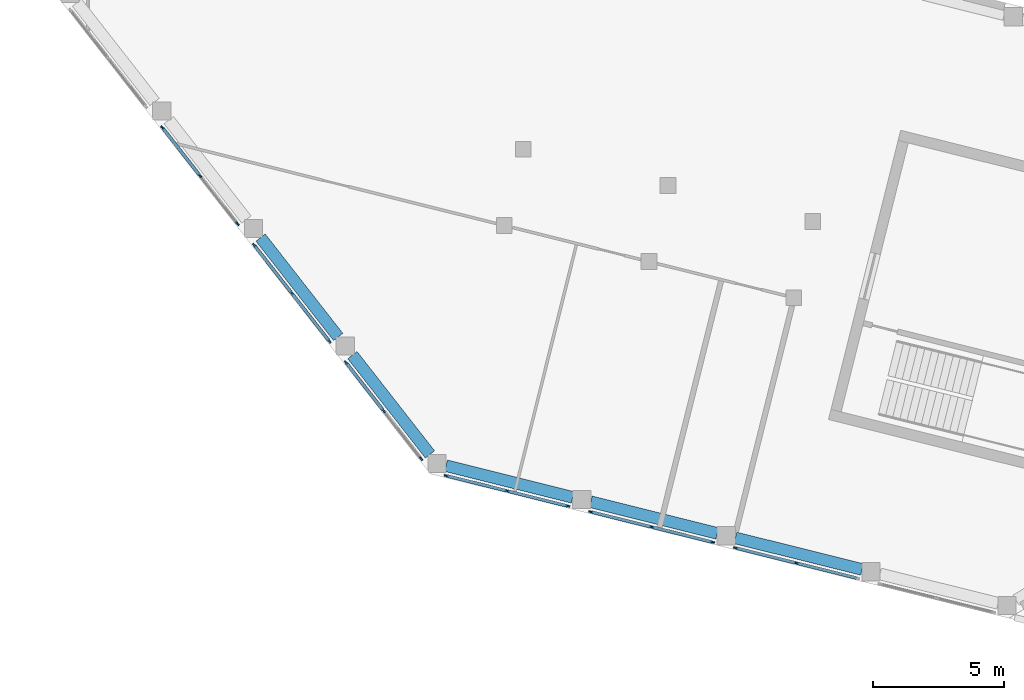
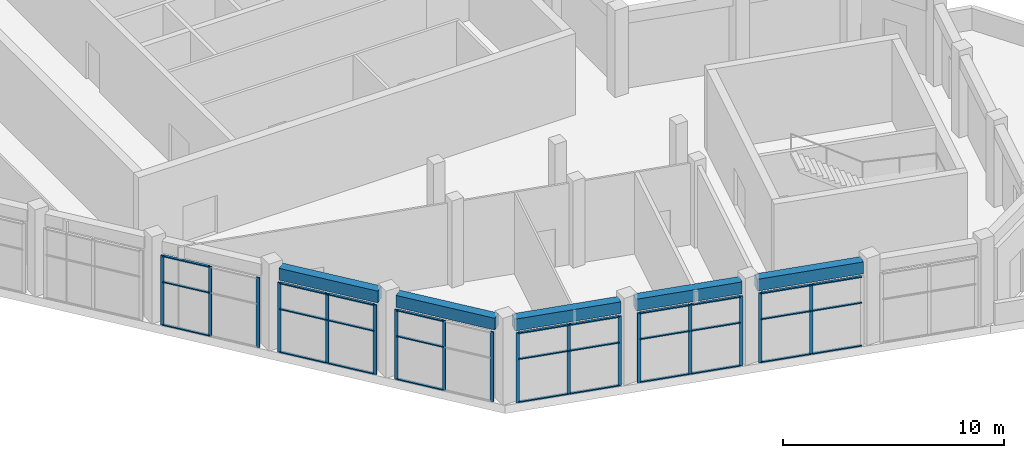
# One storey, part 2 of 10: 47 members, 5 beams, 6 elements without a shape of their own.
"""IFC4 building model written with IfcOpenShell, lengths in metres."""

from ifc_helpers import new_model, si_unit, direction, frame, origin, origin_2d, place, context, subcontext, project, spatial, rectangle, extrude, material, material_profile, profile_set, type_object, element, aggregate, save


model = new_model("IFC4")

# Units and contexts
model_context = context("Model", 3, precision=1e-05, world=origin(), true_north=direction((0.0, 1.0)))
body_context = subcontext(model_context, "Body", "Model", "MODEL_VIEW")
ifc_project = project(units=[si_unit("LENGTHUNIT", "METRE"), si_unit("AREAUNIT", "SQUARE_METRE"), si_unit("VOLUMEUNIT", "CUBIC_METRE"), si_unit("PLANEANGLEUNIT", "RADIAN"), si_unit("MASSUNIT", "GRAM", prefix="KILO")], contexts=[model_context])

# Site, building, storey
site_placement = place(None, origin())
site = spatial("IfcSite", under=ifc_project, at=site_placement, CompositionType="ELEMENT")
building_placement = place(site_placement, origin())
building = spatial("IfcBuilding", under=site, at=building_placement, Name="Meshkara Civic Tower", CompositionType="ELEMENT")
storey_placement = place(building_placement, frame((0.0, 0.0, 419.39990234375)))
storey = spatial("IfcBuildingStorey", under=building, at=storey_placement, Name="L96 Crown", CompositionType="ELEMENT", Elevation=419.39990234375)

# Curtain wall, members
ifc_material_1 = material(Name="Tinted double glazing", Category="glass")
curtain_wall_type = type_object("IfcCurtainWallType", Name="CW CROWN LANTERN", PredefinedType="NOTDEFINED", material=ifc_material_1)
curtain_wall_1_placement = place(storey_placement, origin())
curtain_wall_1 = element("IfcCurtainWall", 1, at=curtain_wall_1_placement, inside=storey, type_object=curtain_wall_type, Name="Curtain wall CW3", PredefinedType="NOTDEFINED")
ifc_material_2 = material(Name="Bronze anodised aluminium", Category="aluminium")
ifc_material_profile_1 = material_profile(ifc_material_2, rectangle(XDim=0.06005859375, YDim=0.159912109375, at=origin_2d()))
ifc_profile_set_1 = profile_set([ifc_material_profile_1], Name="Bronze anodised aluminium")
member_type_1 = type_object("IfcMemberType", Name="CW MULLION 60x160", PredefinedType="MULLION", material=ifc_profile_set_1)
member_1_placement = place(storey_placement, frame((6.3525390625, 9.098388671875, 0.0), z_axis=(0.0, 0.0, 1.0), x_axis=(0.787992241085, 0.615685169539, 0.0)))
member_1 = element("IfcMember", 2, at=member_1_placement, type_object=member_type_1, Name="CW3 mullion 1", PredefinedType="MULLION", context=body_context, shape_type="SweptSolid", body=[
    extrude(rectangle(XDim=0.06005859375, YDim=0.159912109375, at=origin_2d()), origin(), (0.0, 0.0, 1.0), 3.85009765625),
])
member_2_placement = place(storey_placement, frame((7.78662109375, 7.262939453125, 0.0), z_axis=(0.0, 0.0, 1.0), x_axis=(0.787992241085, 0.615685169539, 0.0)))
member_2 = element("IfcMember", 3, at=member_2_placement, type_object=member_type_1, Name="CW3 mullion 2", PredefinedType="MULLION", context=body_context, shape_type="SweptSolid", body=[
    extrude(rectangle(XDim=0.06005859375, YDim=0.159912109375, at=origin_2d()), origin(), (0.0, 0.0, 1.0), 3.85009765625),
])
member_3_placement = place(storey_placement, frame((9.220458984375, 5.427734375, 0.0), z_axis=(0.0, 0.0, 1.0), x_axis=(0.787992241085, 0.615685169539, 0.0)))
member_3 = element("IfcMember", 4, at=member_3_placement, type_object=member_type_1, Name="CW3 mullion 3", PredefinedType="MULLION", context=body_context, shape_type="SweptSolid", body=[
    extrude(rectangle(XDim=0.06005859375, YDim=0.159912109375, at=origin_2d()), origin(), (0.0, 0.0, 1.0), 3.85009765625),
])

curtain_wall_2_placement = place(storey_placement, origin())
curtain_wall_2 = element("IfcCurtainWall", 5, at=curtain_wall_2_placement, inside=storey, type_object=curtain_wall_type, Name="Curtain wall CW3", PredefinedType="NOTDEFINED")
member_4_placement = place(storey_placement, frame((9.862548828125, 4.6064453125, 0.0), z_axis=(0.0, 0.0, 1.0), x_axis=(0.788014731293, 0.615656384086, 0.0)))
member_4 = element("IfcMember", 6, at=member_4_placement, type_object=member_type_1, Name="CW3 mullion 1", PredefinedType="MULLION", context=body_context, shape_type="SweptSolid", body=[
    extrude(rectangle(XDim=0.06005859375, YDim=0.159912109375, at=origin_2d()), origin(), (0.0, 0.0, 1.0), 3.85009765625),
])
member_5_placement = place(storey_placement, frame((11.2958984375, 2.771484375, 0.0), z_axis=(0.0, 0.0, 1.0), x_axis=(0.788014731293, 0.615656384086, 0.0)))
member_5 = element("IfcMember", 7, at=member_5_placement, type_object=member_type_1, Name="CW3 mullion 2", PredefinedType="MULLION", context=body_context, shape_type="SweptSolid", body=[
    extrude(rectangle(XDim=0.06005859375, YDim=0.159912109375, at=origin_2d()), origin(), (0.0, 0.0, 1.0), 3.85009765625),
])
member_6_placement = place(storey_placement, frame((12.7294921875, 0.9365234375, 0.0), z_axis=(0.0, 0.0, 1.0), x_axis=(0.788014731293, 0.615656384086, 0.0)))
member_6 = element("IfcMember", 8, at=member_6_placement, type_object=member_type_1, Name="CW3 mullion 3", PredefinedType="MULLION", context=body_context, shape_type="SweptSolid", body=[
    extrude(rectangle(XDim=0.06005859375, YDim=0.159912109375, at=origin_2d()), origin(), (0.0, 0.0, 1.0), 3.85009765625),
])

curtain_wall_3_placement = place(storey_placement, origin())
curtain_wall_3 = element("IfcCurtainWall", 9, at=curtain_wall_3_placement, inside=storey, type_object=curtain_wall_type, Name="Curtain wall CW3", PredefinedType="NOTDEFINED")
member_7_placement = place(storey_placement, frame((13.37158203125, 0.115478515625, 0.0), z_axis=(0.0, 0.0, 1.0), x_axis=(0.788014731293, 0.615656384086, 0.0)))
member_7 = element("IfcMember", 10, at=member_7_placement, type_object=member_type_1, Name="CW3 mullion 1", PredefinedType="MULLION", context=body_context, shape_type="SweptSolid", body=[
    extrude(rectangle(XDim=0.06005859375, YDim=0.159912109375, at=origin_2d()), origin(), (0.0, 0.0, 1.0), 3.85009765625),
])
member_8_placement = place(storey_placement, frame((14.804931640625, -1.719482421875, 0.0), z_axis=(0.0, 0.0, 1.0), x_axis=(0.788014731293, 0.615656384086, 0.0)))
member_8 = element("IfcMember", 11, at=member_8_placement, type_object=member_type_1, Name="CW3 mullion 2", PredefinedType="MULLION", context=body_context, shape_type="SweptSolid", body=[
    extrude(rectangle(XDim=0.06005859375, YDim=0.159912109375, at=origin_2d()), origin(), (0.0, 0.0, 1.0), 3.85009765625),
])
member_9_placement = place(storey_placement, frame((16.238525390625, -3.554443359375, 0.0), z_axis=(0.0, 0.0, 1.0), x_axis=(0.788014731293, 0.615656384086, 0.0)))
member_9 = element("IfcMember", 12, at=member_9_placement, type_object=member_type_1, Name="CW3 mullion 3", PredefinedType="MULLION", context=body_context, shape_type="SweptSolid", body=[
    extrude(rectangle(XDim=0.06005859375, YDim=0.159912109375, at=origin_2d()), origin(), (0.0, 0.0, 1.0), 3.85009765625),
])

curtain_wall_4_placement = place(storey_placement, origin())
curtain_wall_4 = element("IfcCurtainWall", 13, at=curtain_wall_4_placement, inside=storey, type_object=curtain_wall_type, Name="Curtain wall CW3", PredefinedType="NOTDEFINED")
member_10_placement = place(storey_placement, frame((17.2021484375, -4.206298828125, 0.0), z_axis=(0.0, 0.0, 1.0), x_axis=(0.241953670576, 0.970287803332, 0.0)))
member_10 = element("IfcMember", 14, at=member_10_placement, type_object=member_type_1, Name="CW3 mullion 1", PredefinedType="MULLION", context=body_context, shape_type="SweptSolid", body=[
    extrude(rectangle(XDim=0.06005859375, YDim=0.159912109375, at=origin_2d()), origin(), (0.0, 0.0, 1.0), 3.85009765625),
])
member_11_placement = place(storey_placement, frame((19.527099609375, -4.785888671875, 0.0), z_axis=(0.0, 0.0, 1.0), x_axis=(0.241953670576, 0.970287803332, 0.0)))
member_11 = element("IfcMember", 15, at=member_11_placement, type_object=member_type_1, Name="CW3 mullion 2", PredefinedType="MULLION", context=body_context, shape_type="SweptSolid", body=[
    extrude(rectangle(XDim=0.06005859375, YDim=0.159912109375, at=origin_2d()), origin(), (0.0, 0.0, 1.0), 3.85009765625),
])
member_12_placement = place(storey_placement, frame((21.851806640625, -5.36572265625, 0.0), z_axis=(0.0, 0.0, 1.0), x_axis=(0.241953670576, 0.970287803332, 0.0)))
member_12 = element("IfcMember", 16, at=member_12_placement, type_object=member_type_1, Name="CW3 mullion 3", PredefinedType="MULLION", context=body_context, shape_type="SweptSolid", body=[
    extrude(rectangle(XDim=0.06005859375, YDim=0.159912109375, at=origin_2d()), origin(), (0.0, 0.0, 1.0), 3.85009765625),
])

curtain_wall_5_placement = place(storey_placement, origin())
curtain_wall_5 = element("IfcCurtainWall", 17, at=curtain_wall_5_placement, inside=storey, type_object=curtain_wall_type, Name="Curtain wall CW3", PredefinedType="NOTDEFINED")
member_13_placement = place(storey_placement, frame((22.733154296875, -5.586181640625, 0.0), z_axis=(0.0, 0.0, 1.0), x_axis=(0.241807986541, 0.970324119892, 0.0)))
member_13 = element("IfcMember", 18, at=member_13_placement, type_object=member_type_1, Name="CW3 mullion 1", PredefinedType="MULLION", context=body_context, shape_type="SweptSolid", body=[
    extrude(rectangle(XDim=0.06005859375, YDim=0.159912109375, at=origin_2d()), origin(), (0.0, 0.0, 1.0), 3.85009765625),
])
member_14_placement = place(storey_placement, frame((25.0576171875, -6.16552734375, 0.0), z_axis=(0.0, 0.0, 1.0), x_axis=(0.241807986541, 0.970324119892, 0.0)))
member_14 = element("IfcMember", 19, at=member_14_placement, type_object=member_type_1, Name="CW3 mullion 2", PredefinedType="MULLION", context=body_context, shape_type="SweptSolid", body=[
    extrude(rectangle(XDim=0.06005859375, YDim=0.159912109375, at=origin_2d()), origin(), (0.0, 0.0, 1.0), 3.85009765625),
])
member_15_placement = place(storey_placement, frame((27.3818359375, -6.74462890625, 0.0), z_axis=(0.0, 0.0, 1.0), x_axis=(0.241807986541, 0.970324119892, 0.0)))
member_15 = element("IfcMember", 20, at=member_15_placement, type_object=member_type_1, Name="CW3 mullion 3", PredefinedType="MULLION", context=body_context, shape_type="SweptSolid", body=[
    extrude(rectangle(XDim=0.06005859375, YDim=0.159912109375, at=origin_2d()), origin(), (0.0, 0.0, 1.0), 3.85009765625),
])

curtain_wall_6_placement = place(storey_placement, origin())
curtain_wall_6 = element("IfcCurtainWall", 21, at=curtain_wall_6_placement, inside=storey, type_object=curtain_wall_type, Name="Curtain wall CW3", PredefinedType="NOTDEFINED")
member_16_placement = place(storey_placement, frame((28.26318359375, -6.96435546875, 0.0), z_axis=(0.0, 0.0, 1.0), x_axis=(0.241953670576, 0.970287803332, 0.0)))
member_16 = element("IfcMember", 22, at=member_16_placement, type_object=member_type_1, Name="CW3 mullion 1", PredefinedType="MULLION", context=body_context, shape_type="SweptSolid", body=[
    extrude(rectangle(XDim=0.06005859375, YDim=0.159912109375, at=origin_2d()), origin(), (0.0, 0.0, 1.0), 3.85009765625),
])
member_17_placement = place(storey_placement, frame((30.587890625, -7.5439453125, 0.0), z_axis=(0.0, 0.0, 1.0), x_axis=(0.241953670576, 0.970287803332, 0.0)))
member_17 = element("IfcMember", 23, at=member_17_placement, type_object=member_type_1, Name="CW3 mullion 2", PredefinedType="MULLION", context=body_context, shape_type="SweptSolid", body=[
    extrude(rectangle(XDim=0.06005859375, YDim=0.159912109375, at=origin_2d()), origin(), (0.0, 0.0, 1.0), 3.85009765625),
])

# Member
ifc_material_3 = material(Name="Bronze anodised aluminium", Category="aluminium")
ifc_material_profile_2 = material_profile(ifc_material_3, rectangle(XDim=0.1201171875, YDim=0.06005859375, at=origin_2d()))
ifc_profile_set_2 = profile_set([ifc_material_profile_2], Name="Bronze anodised aluminium")
member_type_2 = type_object("IfcMemberType", Name="CW TRANSOM 60x120", PredefinedType="USERDEFINED", material=ifc_profile_set_2)
member_18_placement = place(storey_placement, frame((6.370849609375, 9.07470703125, 0.030029296875), z_axis=(0.615719199865, -0.787965650849, 0.0), x_axis=(0.787965650849, 0.615719199865, 0.0)))
member_18 = element("IfcMember", 24, at=member_18_placement, type_object=member_type_2, Name="CW3 transom 1.1", ObjectType="TRANSOM", PredefinedType="USERDEFINED", context=body_context, shape_type="SweptSolid", body=[
    extrude(rectangle(XDim=0.1201171875, YDim=0.06005859375, at=origin_2d()), origin(), (0.0, 0.0, 1.0), 2.269287109375),
])

member_19_placement = place(storey_placement, frame((6.370849609375, 9.07470703125, 2.400146484375), z_axis=(0.615719199865, -0.787965650849, 0.0), x_axis=(0.787965650849, 0.615719199865, 0.0)))
member_19 = element("IfcMember", 25, at=member_19_placement, type_object=member_type_2, Name="CW3 transom 1.2", ObjectType="TRANSOM", PredefinedType="USERDEFINED", context=body_context, shape_type="SweptSolid", body=[
    extrude(rectangle(XDim=0.1201171875, YDim=0.06005859375, at=origin_2d()), origin(), (0.0, 0.0, 1.0), 2.269287109375),
])

member_20_placement = place(storey_placement, frame((6.370849609375, 9.07470703125, 3.820068359375), z_axis=(0.615719199865, -0.787965650849, 0.0), x_axis=(0.787965650849, 0.615719199865, 0.0)))
member_20 = element("IfcMember", 26, at=member_20_placement, type_object=member_type_2, Name="CW3 transom 1.3", ObjectType="TRANSOM", PredefinedType="USERDEFINED", context=body_context, shape_type="SweptSolid", body=[
    extrude(rectangle(XDim=0.1201171875, YDim=0.06005859375, at=origin_2d()), origin(), (0.0, 0.0, 1.0), 2.269287109375),
])

aggregate(curtain_wall_1, [member_1, member_2, member_3, member_18, member_19, member_20])

member_21_placement = place(storey_placement, frame((9.880859375, 4.582763671875, 0.030029296875), z_axis=(0.615689986337, -0.787988477532, 0.0), x_axis=(0.787988477532, 0.615689986337, 0.0)))
member_21 = element("IfcMember", 27, at=member_21_placement, type_object=member_type_2, Name="CW3 transom 1.1", ObjectType="TRANSOM", PredefinedType="USERDEFINED", context=body_context, shape_type="SweptSolid", body=[
    extrude(rectangle(XDim=0.1201171875, YDim=0.06005859375, at=origin_2d()), origin(), (0.0, 0.0, 1.0), 2.2685546875),
])

member_22_placement = place(storey_placement, frame((9.880859375, 4.582763671875, 2.400146484375), z_axis=(0.615689986337, -0.787988477532, 0.0), x_axis=(0.787988477532, 0.615689986337, 0.0)))
member_22 = element("IfcMember", 28, at=member_22_placement, type_object=member_type_2, Name="CW3 transom 1.2", ObjectType="TRANSOM", PredefinedType="USERDEFINED", context=body_context, shape_type="SweptSolid", body=[
    extrude(rectangle(XDim=0.1201171875, YDim=0.06005859375, at=origin_2d()), origin(), (0.0, 0.0, 1.0), 2.2685546875),
])

member_23_placement = place(storey_placement, frame((9.880859375, 4.582763671875, 3.820068359375), z_axis=(0.615689986337, -0.787988477532, 0.0), x_axis=(0.787988477532, 0.615689986337, 0.0)))
member_23 = element("IfcMember", 29, at=member_23_placement, type_object=member_type_2, Name="CW3 transom 1.3", ObjectType="TRANSOM", PredefinedType="USERDEFINED", context=body_context, shape_type="SweptSolid", body=[
    extrude(rectangle(XDim=0.1201171875, YDim=0.06005859375, at=origin_2d()), origin(), (0.0, 0.0, 1.0), 2.2685546875),
])

member_24_placement = place(storey_placement, frame((11.314453125, 2.747802734375, 0.030029296875), z_axis=(0.615689986337, -0.787988477532, 0.0), x_axis=(0.787988477532, 0.615689986337, 0.0)))
member_24 = element("IfcMember", 30, at=member_24_placement, type_object=member_type_2, Name="CW3 transom 2.1", ObjectType="TRANSOM", PredefinedType="USERDEFINED", context=body_context, shape_type="SweptSolid", body=[
    extrude(rectangle(XDim=0.1201171875, YDim=0.06005859375, at=origin_2d()), origin(), (0.0, 0.0, 1.0), 2.2685546875),
])

member_25_placement = place(storey_placement, frame((11.314453125, 2.747802734375, 2.400146484375), z_axis=(0.615689986337, -0.787988477532, 0.0), x_axis=(0.787988477532, 0.615689986337, 0.0)))
member_25 = element("IfcMember", 31, at=member_25_placement, type_object=member_type_2, Name="CW3 transom 2.2", ObjectType="TRANSOM", PredefinedType="USERDEFINED", context=body_context, shape_type="SweptSolid", body=[
    extrude(rectangle(XDim=0.1201171875, YDim=0.06005859375, at=origin_2d()), origin(), (0.0, 0.0, 1.0), 2.2685546875),
])

member_26_placement = place(storey_placement, frame((11.314453125, 2.747802734375, 3.820068359375), z_axis=(0.615689986337, -0.787988477532, 0.0), x_axis=(0.787988477532, 0.615689986337, 0.0)))
member_26 = element("IfcMember", 32, at=member_26_placement, type_object=member_type_2, Name="CW3 transom 2.3", ObjectType="TRANSOM", PredefinedType="USERDEFINED", context=body_context, shape_type="SweptSolid", body=[
    extrude(rectangle(XDim=0.1201171875, YDim=0.06005859375, at=origin_2d()), origin(), (0.0, 0.0, 1.0), 2.2685546875),
])

aggregate(curtain_wall_2, [member_4, member_5, member_6, member_21, member_22, member_23, member_24, member_25, member_26])

member_27_placement = place(storey_placement, frame((13.389892578125, 0.091796875, 0.030029296875), z_axis=(0.615689986337, -0.787988477532, 0.0), x_axis=(0.787988477532, 0.615689986337, 0.0)))
member_27 = element("IfcMember", 33, at=member_27_placement, type_object=member_type_2, Name="CW3 transom 1.1", ObjectType="TRANSOM", PredefinedType="USERDEFINED", context=body_context, shape_type="SweptSolid", body=[
    extrude(rectangle(XDim=0.1201171875, YDim=0.06005859375, at=origin_2d()), origin(), (0.0, 0.0, 1.0), 2.2685546875),
])

member_28_placement = place(storey_placement, frame((13.389892578125, 0.091796875, 2.400146484375), z_axis=(0.615689986337, -0.787988477532, 0.0), x_axis=(0.787988477532, 0.615689986337, 0.0)))
member_28 = element("IfcMember", 34, at=member_28_placement, type_object=member_type_2, Name="CW3 transom 1.2", ObjectType="TRANSOM", PredefinedType="USERDEFINED", context=body_context, shape_type="SweptSolid", body=[
    extrude(rectangle(XDim=0.1201171875, YDim=0.06005859375, at=origin_2d()), origin(), (0.0, 0.0, 1.0), 2.2685546875),
])

member_29_placement = place(storey_placement, frame((13.389892578125, 0.091796875, 3.820068359375), z_axis=(0.615689986337, -0.787988477532, 0.0), x_axis=(0.787988477532, 0.615689986337, 0.0)))
member_29 = element("IfcMember", 35, at=member_29_placement, type_object=member_type_2, Name="CW3 transom 1.3", ObjectType="TRANSOM", PredefinedType="USERDEFINED", context=body_context, shape_type="SweptSolid", body=[
    extrude(rectangle(XDim=0.1201171875, YDim=0.06005859375, at=origin_2d()), origin(), (0.0, 0.0, 1.0), 2.2685546875),
])

aggregate(curtain_wall_3, [member_7, member_8, member_9, member_27, member_28, member_29])

member_30_placement = place(storey_placement, frame((17.231201171875, -4.213623046875, 0.030029296875), z_axis=(0.970289867048, -0.241945394465, 0.0), x_axis=(0.241945394465, 0.970289867048, 0.0)))
member_30 = element("IfcMember", 36, at=member_30_placement, type_object=member_type_2, Name="CW3 transom 1.1", ObjectType="TRANSOM", PredefinedType="USERDEFINED", context=body_context, shape_type="SweptSolid", body=[
    extrude(rectangle(XDim=0.1201171875, YDim=0.06005859375, at=origin_2d()), origin(), (0.0, 0.0, 1.0), 2.3359375),
])

member_31_placement = place(storey_placement, frame((17.231201171875, -4.213623046875, 2.400146484375), z_axis=(0.970289867048, -0.241945394465, 0.0), x_axis=(0.241945394465, 0.970289867048, 0.0)))
member_31 = element("IfcMember", 37, at=member_31_placement, type_object=member_type_2, Name="CW3 transom 1.2", ObjectType="TRANSOM", PredefinedType="USERDEFINED", context=body_context, shape_type="SweptSolid", body=[
    extrude(rectangle(XDim=0.1201171875, YDim=0.06005859375, at=origin_2d()), origin(), (0.0, 0.0, 1.0), 2.3359375),
])

member_32_placement = place(storey_placement, frame((17.231201171875, -4.213623046875, 3.820068359375), z_axis=(0.970289867048, -0.241945394465, 0.0), x_axis=(0.241945394465, 0.970289867048, 0.0)))
member_32 = element("IfcMember", 38, at=member_32_placement, type_object=member_type_2, Name="CW3 transom 1.3", ObjectType="TRANSOM", PredefinedType="USERDEFINED", context=body_context, shape_type="SweptSolid", body=[
    extrude(rectangle(XDim=0.1201171875, YDim=0.06005859375, at=origin_2d()), origin(), (0.0, 0.0, 1.0), 2.3359375),
])

member_33_placement = place(storey_placement, frame((19.55615234375, -4.793212890625, 0.030029296875), z_axis=(0.970289867048, -0.241945394465, 0.0), x_axis=(0.241945394465, 0.970289867048, 0.0)))
member_33 = element("IfcMember", 39, at=member_33_placement, type_object=member_type_2, Name="CW3 transom 2.1", ObjectType="TRANSOM", PredefinedType="USERDEFINED", context=body_context, shape_type="SweptSolid", body=[
    extrude(rectangle(XDim=0.1201171875, YDim=0.06005859375, at=origin_2d()), origin(), (0.0, 0.0, 1.0), 2.3359375),
])

member_34_placement = place(storey_placement, frame((19.55615234375, -4.793212890625, 2.400146484375), z_axis=(0.970289867048, -0.241945394465, 0.0), x_axis=(0.241945394465, 0.970289867048, 0.0)))
member_34 = element("IfcMember", 40, at=member_34_placement, type_object=member_type_2, Name="CW3 transom 2.2", ObjectType="TRANSOM", PredefinedType="USERDEFINED", context=body_context, shape_type="SweptSolid", body=[
    extrude(rectangle(XDim=0.1201171875, YDim=0.06005859375, at=origin_2d()), origin(), (0.0, 0.0, 1.0), 2.3359375),
])

member_35_placement = place(storey_placement, frame((19.55615234375, -4.793212890625, 3.820068359375), z_axis=(0.970289867048, -0.241945394465, 0.0), x_axis=(0.241945394465, 0.970289867048, 0.0)))
member_35 = element("IfcMember", 41, at=member_35_placement, type_object=member_type_2, Name="CW3 transom 2.3", ObjectType="TRANSOM", PredefinedType="USERDEFINED", context=body_context, shape_type="SweptSolid", body=[
    extrude(rectangle(XDim=0.1201171875, YDim=0.06005859375, at=origin_2d()), origin(), (0.0, 0.0, 1.0), 2.3359375),
])

aggregate(curtain_wall_4, [member_10, member_11, member_12, member_30, member_31, member_32, member_33, member_34, member_35])

member_36_placement = place(storey_placement, frame((22.76220703125, -5.593505859375, 0.030029296875), z_axis=(0.970326699275, -0.241797635792, 0.0), x_axis=(0.241797635792, 0.970326699275, 0.0)))
member_36 = element("IfcMember", 42, at=member_36_placement, type_object=member_type_2, Name="CW3 transom 1.1", ObjectType="TRANSOM", PredefinedType="USERDEFINED", context=body_context, shape_type="SweptSolid", body=[
    extrude(rectangle(XDim=0.1201171875, YDim=0.06005859375, at=origin_2d()), origin(), (0.0, 0.0, 1.0), 2.33544921875),
])

member_37_placement = place(storey_placement, frame((22.76220703125, -5.593505859375, 2.400146484375), z_axis=(0.970326699275, -0.241797635792, 0.0), x_axis=(0.241797635792, 0.970326699275, 0.0)))
member_37 = element("IfcMember", 43, at=member_37_placement, type_object=member_type_2, Name="CW3 transom 1.2", ObjectType="TRANSOM", PredefinedType="USERDEFINED", context=body_context, shape_type="SweptSolid", body=[
    extrude(rectangle(XDim=0.1201171875, YDim=0.06005859375, at=origin_2d()), origin(), (0.0, 0.0, 1.0), 2.33544921875),
])

member_38_placement = place(storey_placement, frame((22.76220703125, -5.593505859375, 3.820068359375), z_axis=(0.970326699275, -0.241797635792, 0.0), x_axis=(0.241797635792, 0.970326699275, 0.0)))
member_38 = element("IfcMember", 44, at=member_38_placement, type_object=member_type_2, Name="CW3 transom 1.3", ObjectType="TRANSOM", PredefinedType="USERDEFINED", context=body_context, shape_type="SweptSolid", body=[
    extrude(rectangle(XDim=0.1201171875, YDim=0.06005859375, at=origin_2d()), origin(), (0.0, 0.0, 1.0), 2.33544921875),
])

member_39_placement = place(storey_placement, frame((25.086669921875, -6.1728515625, 0.030029296875), z_axis=(0.970326699275, -0.241797635792, 0.0), x_axis=(0.241797635792, 0.970326699275, 0.0)))
member_39 = element("IfcMember", 45, at=member_39_placement, type_object=member_type_2, Name="CW3 transom 2.1", ObjectType="TRANSOM", PredefinedType="USERDEFINED", context=body_context, shape_type="SweptSolid", body=[
    extrude(rectangle(XDim=0.1201171875, YDim=0.06005859375, at=origin_2d()), origin(), (0.0, 0.0, 1.0), 2.33544921875),
])

member_40_placement = place(storey_placement, frame((25.086669921875, -6.1728515625, 2.400146484375), z_axis=(0.970326699275, -0.241797635792, 0.0), x_axis=(0.241797635792, 0.970326699275, 0.0)))
member_40 = element("IfcMember", 46, at=member_40_placement, type_object=member_type_2, Name="CW3 transom 2.2", ObjectType="TRANSOM", PredefinedType="USERDEFINED", context=body_context, shape_type="SweptSolid", body=[
    extrude(rectangle(XDim=0.1201171875, YDim=0.06005859375, at=origin_2d()), origin(), (0.0, 0.0, 1.0), 2.33544921875),
])

member_41_placement = place(storey_placement, frame((25.086669921875, -6.1728515625, 3.820068359375), z_axis=(0.970326699275, -0.241797635792, 0.0), x_axis=(0.241797635792, 0.970326699275, 0.0)))
member_41 = element("IfcMember", 47, at=member_41_placement, type_object=member_type_2, Name="CW3 transom 2.3", ObjectType="TRANSOM", PredefinedType="USERDEFINED", context=body_context, shape_type="SweptSolid", body=[
    extrude(rectangle(XDim=0.1201171875, YDim=0.06005859375, at=origin_2d()), origin(), (0.0, 0.0, 1.0), 2.33544921875),
])

aggregate(curtain_wall_5, [member_13, member_14, member_15, member_36, member_37, member_38, member_39, member_40, member_41])

member_42_placement = place(storey_placement, frame((28.292236328125, -6.971435546875, 0.030029296875), z_axis=(0.970289867048, -0.241945394465, 0.0), x_axis=(0.241945394465, 0.970289867048, 0.0)))
member_42 = element("IfcMember", 48, at=member_42_placement, type_object=member_type_2, Name="CW3 transom 1.1", ObjectType="TRANSOM", PredefinedType="USERDEFINED", context=body_context, shape_type="SweptSolid", body=[
    extrude(rectangle(XDim=0.1201171875, YDim=0.06005859375, at=origin_2d()), origin(), (0.0, 0.0, 1.0), 2.3359375),
])

member_43_placement = place(storey_placement, frame((28.292236328125, -6.971435546875, 2.400146484375), z_axis=(0.970289867048, -0.241945394465, 0.0), x_axis=(0.241945394465, 0.970289867048, 0.0)))
member_43 = element("IfcMember", 49, at=member_43_placement, type_object=member_type_2, Name="CW3 transom 1.2", ObjectType="TRANSOM", PredefinedType="USERDEFINED", context=body_context, shape_type="SweptSolid", body=[
    extrude(rectangle(XDim=0.1201171875, YDim=0.06005859375, at=origin_2d()), origin(), (0.0, 0.0, 1.0), 2.3359375),
])

member_44_placement = place(storey_placement, frame((28.292236328125, -6.971435546875, 3.820068359375), z_axis=(0.970289867048, -0.241945394465, 0.0), x_axis=(0.241945394465, 0.970289867048, 0.0)))
member_44 = element("IfcMember", 50, at=member_44_placement, type_object=member_type_2, Name="CW3 transom 1.3", ObjectType="TRANSOM", PredefinedType="USERDEFINED", context=body_context, shape_type="SweptSolid", body=[
    extrude(rectangle(XDim=0.1201171875, YDim=0.06005859375, at=origin_2d()), origin(), (0.0, 0.0, 1.0), 2.3359375),
])

member_45_placement = place(storey_placement, frame((30.6171875, -7.55126953125, 0.030029296875), z_axis=(0.970289867048, -0.241945394465, 0.0), x_axis=(0.241945394465, 0.970289867048, 0.0)))
member_45 = element("IfcMember", 51, at=member_45_placement, type_object=member_type_2, Name="CW3 transom 2.1", ObjectType="TRANSOM", PredefinedType="USERDEFINED", context=body_context, shape_type="SweptSolid", body=[
    extrude(rectangle(XDim=0.1201171875, YDim=0.06005859375, at=origin_2d()), origin(), (0.0, 0.0, 1.0), 2.3359375),
])

member_46_placement = place(storey_placement, frame((30.6171875, -7.55126953125, 2.400146484375), z_axis=(0.970289867048, -0.241945394465, 0.0), x_axis=(0.241945394465, 0.970289867048, 0.0)))
member_46 = element("IfcMember", 52, at=member_46_placement, type_object=member_type_2, Name="CW3 transom 2.2", ObjectType="TRANSOM", PredefinedType="USERDEFINED", context=body_context, shape_type="SweptSolid", body=[
    extrude(rectangle(XDim=0.1201171875, YDim=0.06005859375, at=origin_2d()), origin(), (0.0, 0.0, 1.0), 2.3359375),
])

member_47_placement = place(storey_placement, frame((30.6171875, -7.55126953125, 3.820068359375), z_axis=(0.970289867048, -0.241945394465, 0.0), x_axis=(0.241945394465, 0.970289867048, 0.0)))
member_47 = element("IfcMember", 53, at=member_47_placement, type_object=member_type_2, Name="CW3 transom 2.3", ObjectType="TRANSOM", PredefinedType="USERDEFINED", context=body_context, shape_type="SweptSolid", body=[
    extrude(rectangle(XDim=0.1201171875, YDim=0.06005859375, at=origin_2d()), origin(), (0.0, 0.0, 1.0), 2.3359375),
])

aggregate(curtain_wall_6, [member_16, member_17, member_42, member_43, member_44, member_45, member_46, member_47])

# Beams
ifc_material_4 = material(Name="Concrete C50", Category="concrete")
ifc_material_profile_3 = material_profile(ifc_material_4, rectangle(XDim=0.449951171875, YDim=0.64990234375, at=origin_2d()))
ifc_profile_set_3 = profile_set([ifc_material_profile_3], Name="Concrete C50")
beam_type = type_object("IfcBeamType", Name="Spandrel beam RC 450x650 C50", PredefinedType="BEAM", material=ifc_profile_set_3)
beam_1_placement = place(storey_placement, frame((10.103515625, 4.89892578125, 4.175048828125), z_axis=(0.615667628032, -0.788005946547, 0.0), x_axis=(0.788005946547, 0.615667628032, 0.0)))
element("IfcBeam", 54, at=beam_1_placement, inside=storey, type_object=beam_type, Name="Spandrel beam BOW01-BOW02", PredefinedType="BEAM", context=body_context, shape_type="SweptSolid", body=[
    extrude(rectangle(XDim=0.449951171875, YDim=0.64990234375, at=origin_2d()), origin(), (0.0, 0.0, 1.0), 4.82080078125),
])
beam_2_placement = place(storey_placement, frame((13.6123046875, 0.407958984375, 4.175048828125), z_axis=(0.615632251353, -0.788033585004, 0.0), x_axis=(0.788033585004, 0.615632251353, 0.0)))
element("IfcBeam", 55, at=beam_2_placement, inside=storey, type_object=beam_type, Name="Spandrel beam BOW00-BOW01", PredefinedType="BEAM", context=body_context, shape_type="SweptSolid", body=[
    extrude(rectangle(XDim=0.449951171875, YDim=0.64990234375, at=origin_2d()), origin(), (0.0, 0.0, 1.0), 4.82177734375),
])
beam_3_placement = place(storey_placement, frame((17.196044921875, -3.82421875, 4.175048828125), z_axis=(0.970303486882, -0.241890767382, 0.0), x_axis=(0.241890767382, 0.970303486882, 0.0)))
element("IfcBeam", 56, at=beam_3_placement, inside=storey, type_object=beam_type, Name="Spandrel beam BOW00-BS01", PredefinedType="BEAM", context=body_context, shape_type="SweptSolid", body=[
    extrude(rectangle(XDim=0.449951171875, YDim=0.64990234375, at=origin_2d()), origin(), (0.0, 0.0, 1.0), 4.989013671875),
])
beam_4_placement = place(storey_placement, frame((22.72705078125, -5.203125, 4.175048828125), z_axis=(0.970292030407, -0.241936718437, 0.0), x_axis=(0.241936718437, 0.970292030407, 0.0)))
element("IfcBeam", 57, at=beam_4_placement, inside=storey, type_object=beam_type, Name="Spandrel beam BS01-BS02", PredefinedType="BEAM", context=body_context, shape_type="SweptSolid", body=[
    extrude(rectangle(XDim=0.449951171875, YDim=0.64990234375, at=origin_2d()), origin(), (0.0, 0.0, 1.0), 4.988037109375),
])
beam_5_placement = place(storey_placement, frame((28.257080078125, -6.58203125, 4.175048828125), z_axis=(0.970303486882, -0.241890767382, 0.0), x_axis=(0.241890767382, 0.970303486882, 0.0)))
element("IfcBeam", 58, at=beam_5_placement, inside=storey, type_object=beam_type, Name="Spandrel beam BS02-BS03", PredefinedType="BEAM", context=body_context, shape_type="SweptSolid", body=[
    extrude(rectangle(XDim=0.449951171875, YDim=0.64990234375, at=origin_2d()), origin(), (0.0, 0.0, 1.0), 4.989013671875),
])

save(model, "model.ifc")
